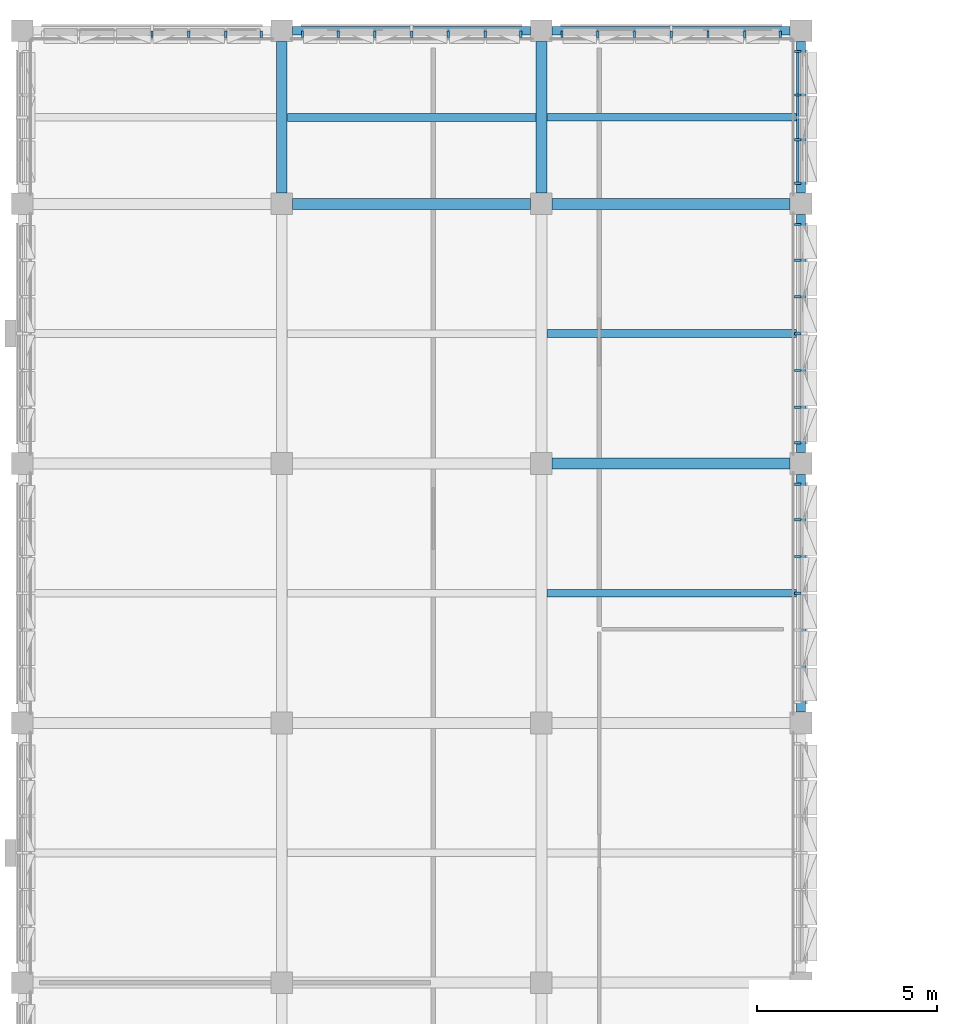
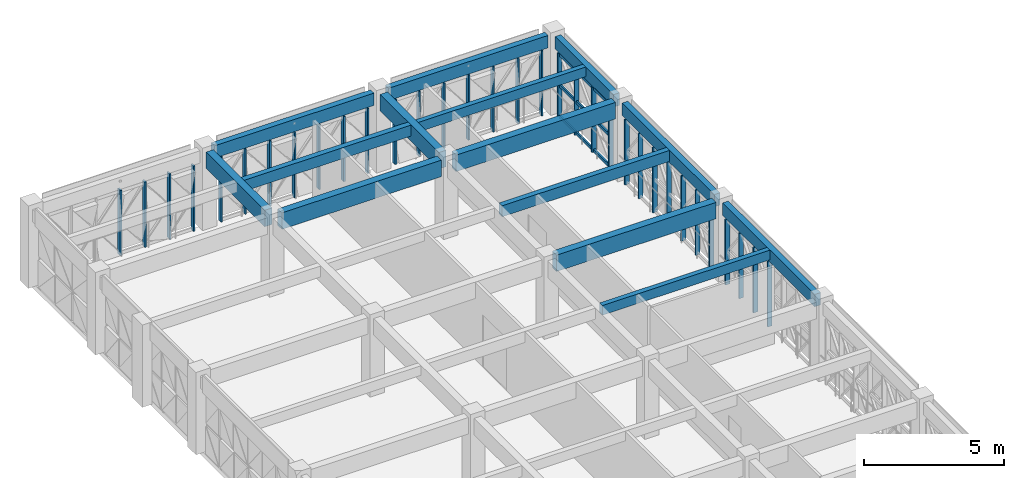
# One storey, part 15 of 74: 42 members, 14 beams, 6 elements without a shape of their own.
"""IFC4 building model written with IfcOpenShell, lengths in metres."""

from ifc_helpers import new_model, si_unit, direction, frame, origin, origin_2d, place, context, subcontext, project, spatial, rectangle, extrude, material, material_profile, profile_set, type_object, element, aggregate, save


model = new_model("IFC4")

# Units and contexts
model_context = context("Model", 3, precision=1e-05, world=origin(), true_north=direction((0.0, 1.0)))
body_context = subcontext(model_context, "Body", "Model", "MODEL_VIEW")
ifc_project = project(units=[si_unit("LENGTHUNIT", "METRE"), si_unit("AREAUNIT", "SQUARE_METRE"), si_unit("VOLUMEUNIT", "CUBIC_METRE"), si_unit("PLANEANGLEUNIT", "RADIAN"), si_unit("MASSUNIT", "GRAM", prefix="KILO")], contexts=[model_context])

# Site, building, storey
site_placement = place(None, origin())
site = spatial("IfcSite", under=ifc_project, at=site_placement, CompositionType="ELEMENT")
building_placement = place(site_placement, origin())
building = spatial("IfcBuilding", under=site, at=building_placement, Name="Alvorim Cloister Faculty of Sciences", CompositionType="ELEMENT")
storey_placement = place(building_placement, frame((0.0, 0.0, 15.75)))
storey = spatial("IfcBuildingStorey", under=building, at=storey_placement, Name="L04", CompositionType="ELEMENT", Elevation=15.75)

# Beams
ifc_material_1 = material(Name="Glulam GL32h", Category="wood")
ifc_material_profile_1 = material_profile(ifc_material_1, rectangle(XDim=0.300048828125, YDim=0.719970703125, at=origin_2d()), Name="GL32-BM-300x720")
ifc_profile_set_1 = profile_set([ifc_material_profile_1], Name="Glulam GL32h")
beam_type_1 = type_object("IfcBeamType", Name="BM-GL-300x720", PredefinedType="BEAM", material=ifc_profile_set_1)
for number, where, z_axis, x_axis, name in (
    (1, (14.699951171875, 99.60009765625, 3.030029296875), (1.0, 0.0, 0.0), (0.0, 1.0, 0.0), "L04 Primary Beam BM-1788"),
    (2, (7.5, 106.800048828125, 3.030029296875), (1.0, 0.0, 0.0), (0.0, 1.0, 0.0), "L04 Primary Beam BM-1790"),
    (3, (14.699951171875, 106.800048828125, 3.030029296875), (1.0, 0.0, 0.0), (0.0, 1.0, 0.0), "L04 Primary Beam BM-1791"),
):
    element("IfcBeam", number, at=place(storey_placement, frame(where, z_axis=z_axis, x_axis=x_axis)), inside=storey, type_object=beam_type_1, Name=name, PredefinedType="BEAM", context=body_context, shape_type="SweptSolid", body=[
        extrude(rectangle(XDim=0.300048828125, YDim=0.719970703125, at=origin_2d()), origin(), (0.0, 0.0, 1.0), 6.60009765625),
    ])
for number, where, z_axis, x_axis, name in (
    (4, (7.199951171875, 107.10009765625, 3.030029296875), (0.0, 1.0, 0.0), (-1.0, 0.0, 0.0), "L04 Primary Girder BM-1817"),
    (5, (14.39990234375, 107.10009765625, 3.030029296875), (0.0, 1.0, 0.0), (-1.0, 0.0, 0.0), "L04 Primary Girder BM-1832"),
):
    element("IfcBeam", number, at=place(storey_placement, frame(where, z_axis=z_axis, x_axis=x_axis)), inside=storey, type_object=beam_type_1, Name=name, PredefinedType="BEAM", context=body_context, shape_type="SweptSolid", body=[
        extrude(rectangle(XDim=0.300048828125, YDim=0.719970703125, at=origin_2d()), origin(), (0.0, 0.0, 1.0), 4.199951171875),
    ])
ifc_material_2 = material(Name="Glulam GL28h", Category="wood")
ifc_material_profile_2 = material_profile(ifc_material_2, rectangle(XDim=0.199951171875, YDim=0.419921875, at=origin_2d()), Name="GL28-JST-200x420")
ifc_profile_set_2 = profile_set([ifc_material_profile_2], Name="Glulam GL28h")
beam_type_2 = type_object("IfcBeamType", Name="BM-JST-GL-200x420", PredefinedType="JOIST", material=ifc_profile_set_2)
for number, where, z_axis, x_axis, name in (
    (6, (14.550048828125, 96.0, 3.179931640625), (1.0, 0.0, 0.0), (0.0, 1.0, 0.0), "L04 Secondary Floor Joist BM-1920"),
    (7, (14.550048828125, 109.199951171875, 3.179931640625), (1.0, 0.0, 0.0), (0.0, 1.0, 0.0), "L04 Secondary Floor Joist BM-1922"),
):
    element("IfcBeam", number, at=place(storey_placement, frame(where, z_axis=z_axis, x_axis=x_axis)), inside=storey, type_object=beam_type_2, Name=name, PredefinedType="JOIST", context=body_context, shape_type="SweptSolid", body=[
        extrude(rectangle(XDim=0.199951171875, YDim=0.419921875, at=origin_2d()), origin(), (0.0, 0.0, 1.0), 6.929931640625),
    ])
ifc_material_profile_3 = material_profile(ifc_material_2, rectangle(XDim=0.219970703125, YDim=0.47998046875, at=origin_2d()), Name="GL28-JST-220x480")
ifc_profile_set_3 = profile_set([ifc_material_profile_3], Name="Glulam GL28h")
beam_type_3 = type_object("IfcBeamType", Name="BM-JST-GL-220x480", PredefinedType="JOIST", material=ifc_profile_set_3)
beam_1_placement = place(storey_placement, frame((7.35009765625, 109.199951171875, 3.14990234375), z_axis=(1.0, 0.0, 0.0), x_axis=(0.0, 1.0, 0.0)))
element("IfcBeam", 8, at=beam_1_placement, inside=storey, type_object=beam_type_3, Name="L04 Secondary Floor Joist BM-1913", PredefinedType="JOIST", context=body_context, shape_type="SweptSolid", body=[
    extrude(rectangle(XDim=0.219970703125, YDim=0.47998046875, at=origin_2d()), origin(), (0.0, 0.0, 1.0), 6.89990234375),
])
beam_2_placement = place(storey_placement, frame((14.550048828125, 103.199951171875, 3.14990234375), z_axis=(1.0, 0.0, 0.0), x_axis=(0.0, 1.0, 0.0)))
element("IfcBeam", 9, at=beam_2_placement, inside=storey, type_object=beam_type_3, Name="L04 Secondary Floor Joist BM-1921", PredefinedType="JOIST", context=body_context, shape_type="SweptSolid", body=[
    extrude(rectangle(XDim=0.219970703125, YDim=0.47998046875, at=origin_2d()), origin(), (0.0, 0.0, 1.0), 6.929931640625),
])
ifc_material_profile_4 = material_profile(ifc_material_2, rectangle(XDim=0.239990234375, YDim=0.5400390625, at=origin_2d()), Name="GL28-SPD-240x540")
ifc_profile_set_4 = profile_set([ifc_material_profile_4], Name="Glulam GL28h")
beam_type_4 = type_object("IfcBeamType", Name="BM-SPD-GL-240x540", PredefinedType="SPANDREL", material=ifc_profile_set_4)
for number, where, z_axis, x_axis, name in (
    (10, (7.5, 111.60009765625, 3.1201171875), (1.0, 0.0, 0.0), (0.0, 1.0, 0.0), "L04 Primary Beam BM-1793"),
    (11, (14.699951171875, 111.60009765625, 3.1201171875), (1.0, 0.0, 0.0), (0.0, 1.0, 0.0), "L04 Primary Beam BM-1794"),
    (12, (21.60009765625, 92.699951171875, 3.1201171875), (0.0, 1.0, 0.0), (-1.0, 0.0, 0.0), "L04 Primary Girder BM-1845"),
    (13, (21.60009765625, 99.89990234375, 3.1201171875), (0.0, 1.0, 0.0), (-1.0, 0.0, 0.0), "L04 Primary Girder BM-1846"),
):
    element("IfcBeam", number, at=place(storey_placement, frame(where, z_axis=z_axis, x_axis=x_axis)), inside=storey, type_object=beam_type_4, Name=name, PredefinedType="SPANDREL", context=body_context, shape_type="SweptSolid", body=[
        extrude(rectangle(XDim=0.239990234375, YDim=0.5400390625, at=origin_2d()), origin(), (0.0, 0.0, 1.0), 6.60009765625),
    ])
beam_3_placement = place(storey_placement, frame((21.60009765625, 107.10009765625, 3.1201171875), z_axis=(0.0, 1.0, 0.0), x_axis=(-1.0, 0.0, 0.0)))
element("IfcBeam", 14, at=beam_3_placement, inside=storey, type_object=beam_type_4, Name="L04 Primary Girder BM-1847", PredefinedType="SPANDREL", context=body_context, shape_type="SweptSolid", body=[
    extrude(rectangle(XDim=0.239990234375, YDim=0.5400390625, at=origin_2d()), origin(), (0.0, 0.0, 1.0), 4.199951171875),
])

# Curtain wall, members
ifc_material_3 = material(Name="Aluminium and Low-E Glass Curtain Wall", Category="aluminium")
curtain_wall_type_1 = type_object("IfcCurtainWallType", Name="CW-TRI-6120x2850", PredefinedType="USERDEFINED", material=ifc_material_3)
curtain_wall_1_placement = place(storey_placement, origin())
curtain_wall_1 = element("IfcCurtainWall", 15, at=curtain_wall_1_placement, inside=storey, type_object=curtain_wall_type_1, Name="L04 Diagonal Cassette Curtain Wall CW-0178", ObjectType="UNITISED CURTAIN WALL", PredefinedType="USERDEFINED")
ifc_material_4 = material(Name="Aluminium Alloy 6063-T6", Category="aluminium")
ifc_material_profile_5 = material_profile(ifc_material_4, rectangle(XDim=0.06494140625, YDim=0.179931640625, at=origin_2d()), Name="ALU-MUL-65x180")
ifc_profile_set_5 = profile_set([ifc_material_profile_5], Name="Aluminium Alloy 6063-T6")
member_type_1 = type_object("IfcMemberType", Name="CW-MUL-65x180", PredefinedType="MULLION", material=ifc_profile_set_5)
member_1_placement = place(storey_placement, frame((3.60009765625, 111.510009765625, 0.0), z_axis=(0.0, 0.0, 1.0), x_axis=(1.0, 0.0, 0.0)))
member_1 = element("IfcMember", 16, at=member_1_placement, type_object=member_type_1, Name="CW-0178 Mullion 4", PredefinedType="MULLION", context=body_context, shape_type="SweptSolid", body=[
    extrude(rectangle(XDim=0.06494140625, YDim=0.179931640625, at=origin_2d()), origin(), (0.0, 0.0, 1.0), 2.85009765625),
])
member_2_placement = place(storey_placement, frame((4.6201171875, 111.510009765625, 0.0), z_axis=(0.0, 0.0, 1.0), x_axis=(1.0, 0.0, 0.0)))
member_2 = element("IfcMember", 17, at=member_2_placement, type_object=member_type_1, Name="CW-0178 Mullion 5", PredefinedType="MULLION", context=body_context, shape_type="SweptSolid", body=[
    extrude(rectangle(XDim=0.06494140625, YDim=0.179931640625, at=origin_2d()), origin(), (0.0, 0.0, 1.0), 2.85009765625),
])
member_3_placement = place(storey_placement, frame((5.639892578125, 111.510009765625, 0.0), z_axis=(0.0, 0.0, 1.0), x_axis=(1.0, 0.0, 0.0)))
member_3 = element("IfcMember", 18, at=member_3_placement, type_object=member_type_1, Name="CW-0178 Mullion 6", PredefinedType="MULLION", context=body_context, shape_type="SweptSolid", body=[
    extrude(rectangle(XDim=0.06494140625, YDim=0.179931640625, at=origin_2d()), origin(), (0.0, 0.0, 1.0), 2.85009765625),
])
member_4_placement = place(storey_placement, frame((6.62744140625, 111.510009765625, 0.0), z_axis=(0.0, 0.0, 1.0), x_axis=(1.0, 0.0, 0.0)))
member_4 = element("IfcMember", 19, at=member_4_placement, type_object=member_type_1, Name="CW-0178 Mullion 7", PredefinedType="MULLION", context=body_context, shape_type="SweptSolid", body=[
    extrude(rectangle(XDim=0.06494140625, YDim=0.179931640625, at=origin_2d()), origin(), (0.0, 0.0, 1.0), 2.85009765625),
])
aggregate(curtain_wall_1, [member_1, member_2, member_3, member_4])

curtain_wall_2_placement = place(storey_placement, origin())
curtain_wall_2 = element("IfcCurtainWall", 20, at=curtain_wall_2_placement, inside=storey, type_object=curtain_wall_type_1, Name="L04 Diagonal Cassette Curtain Wall CW-0179", ObjectType="UNITISED CURTAIN WALL", PredefinedType="USERDEFINED")
member_5_placement = place(storey_placement, frame((7.7724609375, 111.510009765625, 0.0), z_axis=(0.0, 0.0, 1.0), x_axis=(1.0, 0.0, 0.0)))
member_5 = element("IfcMember", 21, at=member_5_placement, type_object=member_type_1, Name="CW-0179 Mullion 1", PredefinedType="MULLION", context=body_context, shape_type="SweptSolid", body=[
    extrude(rectangle(XDim=0.06494140625, YDim=0.179931640625, at=origin_2d()), origin(), (0.0, 0.0, 1.0), 2.85009765625),
])
member_6_placement = place(storey_placement, frame((8.760009765625, 111.510009765625, 0.0), z_axis=(0.0, 0.0, 1.0), x_axis=(1.0, 0.0, 0.0)))
member_6 = element("IfcMember", 22, at=member_6_placement, type_object=member_type_1, Name="CW-0179 Mullion 2", PredefinedType="MULLION", context=body_context, shape_type="SweptSolid", body=[
    extrude(rectangle(XDim=0.06494140625, YDim=0.179931640625, at=origin_2d()), origin(), (0.0, 0.0, 1.0), 2.85009765625),
])
member_7_placement = place(storey_placement, frame((9.780029296875, 111.510009765625, 0.0), z_axis=(0.0, 0.0, 1.0), x_axis=(1.0, 0.0, 0.0)))
member_7 = element("IfcMember", 23, at=member_7_placement, type_object=member_type_1, Name="CW-0179 Mullion 3", PredefinedType="MULLION", context=body_context, shape_type="SweptSolid", body=[
    extrude(rectangle(XDim=0.06494140625, YDim=0.179931640625, at=origin_2d()), origin(), (0.0, 0.0, 1.0), 2.85009765625),
])
member_8_placement = place(storey_placement, frame((10.800048828125, 111.510009765625, 0.0), z_axis=(0.0, 0.0, 1.0), x_axis=(1.0, 0.0, 0.0)))
member_8 = element("IfcMember", 24, at=member_8_placement, type_object=member_type_1, Name="CW-0179 Mullion 4", PredefinedType="MULLION", context=body_context, shape_type="SweptSolid", body=[
    extrude(rectangle(XDim=0.06494140625, YDim=0.179931640625, at=origin_2d()), origin(), (0.0, 0.0, 1.0), 2.85009765625),
])
member_9_placement = place(storey_placement, frame((11.820068359375, 111.510009765625, 0.0), z_axis=(0.0, 0.0, 1.0), x_axis=(1.0, 0.0, 0.0)))
member_9 = element("IfcMember", 25, at=member_9_placement, type_object=member_type_1, Name="CW-0179 Mullion 5", PredefinedType="MULLION", context=body_context, shape_type="SweptSolid", body=[
    extrude(rectangle(XDim=0.06494140625, YDim=0.179931640625, at=origin_2d()), origin(), (0.0, 0.0, 1.0), 2.85009765625),
])
member_10_placement = place(storey_placement, frame((12.840087890625, 111.510009765625, 0.0), z_axis=(0.0, 0.0, 1.0), x_axis=(1.0, 0.0, 0.0)))
member_10 = element("IfcMember", 26, at=member_10_placement, type_object=member_type_1, Name="CW-0179 Mullion 6", PredefinedType="MULLION", context=body_context, shape_type="SweptSolid", body=[
    extrude(rectangle(XDim=0.06494140625, YDim=0.179931640625, at=origin_2d()), origin(), (0.0, 0.0, 1.0), 2.85009765625),
])
member_11_placement = place(storey_placement, frame((13.827392578125, 111.510009765625, 0.0), z_axis=(0.0, 0.0, 1.0), x_axis=(1.0, 0.0, 0.0)))
member_11 = element("IfcMember", 27, at=member_11_placement, type_object=member_type_1, Name="CW-0179 Mullion 7", PredefinedType="MULLION", context=body_context, shape_type="SweptSolid", body=[
    extrude(rectangle(XDim=0.06494140625, YDim=0.179931640625, at=origin_2d()), origin(), (0.0, 0.0, 1.0), 2.85009765625),
])
aggregate(curtain_wall_2, [member_5, member_6, member_7, member_8, member_9, member_10, member_11])

curtain_wall_3_placement = place(storey_placement, origin())
curtain_wall_3 = element("IfcCurtainWall", 28, at=curtain_wall_3_placement, inside=storey, type_object=curtain_wall_type_1, Name="L04 Diagonal Cassette Curtain Wall CW-0180", ObjectType="UNITISED CURTAIN WALL", PredefinedType="USERDEFINED")
member_12_placement = place(storey_placement, frame((14.972412109375, 111.510009765625, 0.0), z_axis=(0.0, 0.0, 1.0), x_axis=(1.0, 0.0, 0.0)))
member_12 = element("IfcMember", 29, at=member_12_placement, type_object=member_type_1, Name="CW-0180 Mullion 1", PredefinedType="MULLION", context=body_context, shape_type="SweptSolid", body=[
    extrude(rectangle(XDim=0.06494140625, YDim=0.179931640625, at=origin_2d()), origin(), (0.0, 0.0, 1.0), 2.85009765625),
])
member_13_placement = place(storey_placement, frame((15.9599609375, 111.510009765625, 0.0), z_axis=(0.0, 0.0, 1.0), x_axis=(1.0, 0.0, 0.0)))
member_13 = element("IfcMember", 30, at=member_13_placement, type_object=member_type_1, Name="CW-0180 Mullion 2", PredefinedType="MULLION", context=body_context, shape_type="SweptSolid", body=[
    extrude(rectangle(XDim=0.06494140625, YDim=0.179931640625, at=origin_2d()), origin(), (0.0, 0.0, 1.0), 2.85009765625),
])
member_14_placement = place(storey_placement, frame((16.97998046875, 111.510009765625, 0.0), z_axis=(0.0, 0.0, 1.0), x_axis=(1.0, 0.0, 0.0)))
member_14 = element("IfcMember", 31, at=member_14_placement, type_object=member_type_1, Name="CW-0180 Mullion 3", PredefinedType="MULLION", context=body_context, shape_type="SweptSolid", body=[
    extrude(rectangle(XDim=0.06494140625, YDim=0.179931640625, at=origin_2d()), origin(), (0.0, 0.0, 1.0), 2.85009765625),
])
member_15_placement = place(storey_placement, frame((18.0, 111.510009765625, 0.0), z_axis=(0.0, 0.0, 1.0), x_axis=(1.0, 0.0, 0.0)))
member_15 = element("IfcMember", 32, at=member_15_placement, type_object=member_type_1, Name="CW-0180 Mullion 4", PredefinedType="MULLION", context=body_context, shape_type="SweptSolid", body=[
    extrude(rectangle(XDim=0.06494140625, YDim=0.179931640625, at=origin_2d()), origin(), (0.0, 0.0, 1.0), 2.85009765625),
])
member_16_placement = place(storey_placement, frame((19.02001953125, 111.510009765625, 0.0), z_axis=(0.0, 0.0, 1.0), x_axis=(1.0, 0.0, 0.0)))
member_16 = element("IfcMember", 33, at=member_16_placement, type_object=member_type_1, Name="CW-0180 Mullion 5", PredefinedType="MULLION", context=body_context, shape_type="SweptSolid", body=[
    extrude(rectangle(XDim=0.06494140625, YDim=0.179931640625, at=origin_2d()), origin(), (0.0, 0.0, 1.0), 2.85009765625),
])
member_17_placement = place(storey_placement, frame((20.0400390625, 111.510009765625, 0.0), z_axis=(0.0, 0.0, 1.0), x_axis=(1.0, 0.0, 0.0)))
member_17 = element("IfcMember", 34, at=member_17_placement, type_object=member_type_1, Name="CW-0180 Mullion 6", PredefinedType="MULLION", context=body_context, shape_type="SweptSolid", body=[
    extrude(rectangle(XDim=0.06494140625, YDim=0.179931640625, at=origin_2d()), origin(), (0.0, 0.0, 1.0), 2.85009765625),
])
member_18_placement = place(storey_placement, frame((21.027587890625, 111.510009765625, 0.0), z_axis=(0.0, 0.0, 1.0), x_axis=(1.0, 0.0, 0.0)))
member_18 = element("IfcMember", 35, at=member_18_placement, type_object=member_type_1, Name="CW-0180 Mullion 7", PredefinedType="MULLION", context=body_context, shape_type="SweptSolid", body=[
    extrude(rectangle(XDim=0.06494140625, YDim=0.179931640625, at=origin_2d()), origin(), (0.0, 0.0, 1.0), 2.85009765625),
])
aggregate(curtain_wall_3, [member_12, member_13, member_14, member_15, member_16, member_17, member_18])

curtain_wall_type_2 = type_object("IfcCurtainWallType", Name="CW-TRI-3720x2850", PredefinedType="USERDEFINED", material=ifc_material_3)
curtain_wall_4_placement = place(storey_placement, origin())
curtain_wall_4 = element("IfcCurtainWall", 36, at=curtain_wall_4_placement, inside=storey, type_object=curtain_wall_type_2, Name="L04 Diagonal Cassette Curtain Wall CW-0181", ObjectType="UNITISED CURTAIN WALL", PredefinedType="USERDEFINED")
member_19_placement = place(storey_placement, frame((21.510009765625, 107.37255859375, 0.0), z_axis=(0.0, 0.0, 1.0), x_axis=(0.0, 1.0, 0.0)))
member_19 = element("IfcMember", 37, at=member_19_placement, type_object=member_type_1, Name="CW-0181 Mullion 1", PredefinedType="MULLION", context=body_context, shape_type="SweptSolid", body=[
    extrude(rectangle(XDim=0.06494140625, YDim=0.179931640625, at=origin_2d()), origin(), (0.0, 0.0, 1.0), 2.85009765625),
])
member_20_placement = place(storey_placement, frame((21.510009765625, 108.580078125, 0.0), z_axis=(0.0, 0.0, 1.0), x_axis=(0.0, 1.0, 0.0)))
member_20 = element("IfcMember", 38, at=member_20_placement, type_object=member_type_1, Name="CW-0181 Mullion 2", PredefinedType="MULLION", context=body_context, shape_type="SweptSolid", body=[
    extrude(rectangle(XDim=0.06494140625, YDim=0.179931640625, at=origin_2d()), origin(), (0.0, 0.0, 1.0), 2.85009765625),
])
member_21_placement = place(storey_placement, frame((21.510009765625, 109.820068359375, 0.0), z_axis=(0.0, 0.0, 1.0), x_axis=(0.0, 1.0, 0.0)))
member_21 = element("IfcMember", 39, at=member_21_placement, type_object=member_type_1, Name="CW-0181 Mullion 3", PredefinedType="MULLION", context=body_context, shape_type="SweptSolid", body=[
    extrude(rectangle(XDim=0.06494140625, YDim=0.179931640625, at=origin_2d()), origin(), (0.0, 0.0, 1.0), 2.85009765625),
])
member_22_placement = place(storey_placement, frame((21.510009765625, 111.027587890625, 0.0), z_axis=(0.0, 0.0, 1.0), x_axis=(0.0, 1.0, 0.0)))
member_22 = element("IfcMember", 40, at=member_22_placement, type_object=member_type_1, Name="CW-0181 Mullion 4", PredefinedType="MULLION", context=body_context, shape_type="SweptSolid", body=[
    extrude(rectangle(XDim=0.06494140625, YDim=0.179931640625, at=origin_2d()), origin(), (0.0, 0.0, 1.0), 2.85009765625),
])

curtain_wall_5_placement = place(storey_placement, origin())
curtain_wall_5 = element("IfcCurtainWall", 41, at=curtain_wall_5_placement, inside=storey, type_object=curtain_wall_type_1, Name="L04 Diagonal Cassette Curtain Wall CW-0182", ObjectType="UNITISED CURTAIN WALL", PredefinedType="USERDEFINED")
member_23_placement = place(storey_placement, frame((21.510009765625, 100.172607421875, 0.0), z_axis=(0.0, 0.0, 1.0), x_axis=(0.0, 1.0, 0.0)))
member_23 = element("IfcMember", 42, at=member_23_placement, type_object=member_type_1, Name="CW-0182 Mullion 1", PredefinedType="MULLION", context=body_context, shape_type="SweptSolid", body=[
    extrude(rectangle(XDim=0.06494140625, YDim=0.179931640625, at=origin_2d()), origin(), (0.0, 0.0, 1.0), 2.85009765625),
])
member_24_placement = place(storey_placement, frame((21.510009765625, 101.159912109375, 0.0), z_axis=(0.0, 0.0, 1.0), x_axis=(0.0, 1.0, 0.0)))
member_24 = element("IfcMember", 43, at=member_24_placement, type_object=member_type_1, Name="CW-0182 Mullion 2", PredefinedType="MULLION", context=body_context, shape_type="SweptSolid", body=[
    extrude(rectangle(XDim=0.06494140625, YDim=0.179931640625, at=origin_2d()), origin(), (0.0, 0.0, 1.0), 2.85009765625),
])
member_25_placement = place(storey_placement, frame((21.510009765625, 102.179931640625, 0.0), z_axis=(0.0, 0.0, 1.0), x_axis=(0.0, 1.0, 0.0)))
member_25 = element("IfcMember", 44, at=member_25_placement, type_object=member_type_1, Name="CW-0182 Mullion 3", PredefinedType="MULLION", context=body_context, shape_type="SweptSolid", body=[
    extrude(rectangle(XDim=0.06494140625, YDim=0.179931640625, at=origin_2d()), origin(), (0.0, 0.0, 1.0), 2.85009765625),
])
member_26_placement = place(storey_placement, frame((21.510009765625, 103.199951171875, 0.0), z_axis=(0.0, 0.0, 1.0), x_axis=(0.0, 1.0, 0.0)))
member_26 = element("IfcMember", 45, at=member_26_placement, type_object=member_type_1, Name="CW-0182 Mullion 4", PredefinedType="MULLION", context=body_context, shape_type="SweptSolid", body=[
    extrude(rectangle(XDim=0.06494140625, YDim=0.179931640625, at=origin_2d()), origin(), (0.0, 0.0, 1.0), 2.85009765625),
])
member_27_placement = place(storey_placement, frame((21.510009765625, 104.219970703125, 0.0), z_axis=(0.0, 0.0, 1.0), x_axis=(0.0, 1.0, 0.0)))
member_27 = element("IfcMember", 46, at=member_27_placement, type_object=member_type_1, Name="CW-0182 Mullion 5", PredefinedType="MULLION", context=body_context, shape_type="SweptSolid", body=[
    extrude(rectangle(XDim=0.06494140625, YDim=0.179931640625, at=origin_2d()), origin(), (0.0, 0.0, 1.0), 2.85009765625),
])
member_28_placement = place(storey_placement, frame((21.510009765625, 105.239990234375, 0.0), z_axis=(0.0, 0.0, 1.0), x_axis=(0.0, 1.0, 0.0)))
member_28 = element("IfcMember", 47, at=member_28_placement, type_object=member_type_1, Name="CW-0182 Mullion 6", PredefinedType="MULLION", context=body_context, shape_type="SweptSolid", body=[
    extrude(rectangle(XDim=0.06494140625, YDim=0.179931640625, at=origin_2d()), origin(), (0.0, 0.0, 1.0), 2.85009765625),
])
member_29_placement = place(storey_placement, frame((21.510009765625, 106.2275390625, 0.0), z_axis=(0.0, 0.0, 1.0), x_axis=(0.0, 1.0, 0.0)))
member_29 = element("IfcMember", 48, at=member_29_placement, type_object=member_type_1, Name="CW-0182 Mullion 7", PredefinedType="MULLION", context=body_context, shape_type="SweptSolid", body=[
    extrude(rectangle(XDim=0.06494140625, YDim=0.179931640625, at=origin_2d()), origin(), (0.0, 0.0, 1.0), 2.85009765625),
])
aggregate(curtain_wall_5, [member_23, member_24, member_25, member_26, member_27, member_28, member_29])

curtain_wall_6_placement = place(storey_placement, origin())
curtain_wall_6 = element("IfcCurtainWall", 49, at=curtain_wall_6_placement, inside=storey, type_object=curtain_wall_type_1, Name="L04 Diagonal Cassette Curtain Wall CW-0183", ObjectType="UNITISED CURTAIN WALL", PredefinedType="USERDEFINED")
member_30_placement = place(storey_placement, frame((21.510009765625, 96.0, 0.0), z_axis=(0.0, 0.0, 1.0), x_axis=(0.0, 1.0, 0.0)))
member_30 = element("IfcMember", 50, at=member_30_placement, type_object=member_type_1, Name="CW-0183 Mullion 4", PredefinedType="MULLION", context=body_context, shape_type="SweptSolid", body=[
    extrude(rectangle(XDim=0.06494140625, YDim=0.179931640625, at=origin_2d()), origin(), (0.0, 0.0, 1.0), 2.85009765625),
])
member_31_placement = place(storey_placement, frame((21.510009765625, 97.02001953125, 0.0), z_axis=(0.0, 0.0, 1.0), x_axis=(0.0, 1.0, 0.0)))
member_31 = element("IfcMember", 51, at=member_31_placement, type_object=member_type_1, Name="CW-0183 Mullion 5", PredefinedType="MULLION", context=body_context, shape_type="SweptSolid", body=[
    extrude(rectangle(XDim=0.06494140625, YDim=0.179931640625, at=origin_2d()), origin(), (0.0, 0.0, 1.0), 2.85009765625),
])
member_32_placement = place(storey_placement, frame((21.510009765625, 98.0400390625, 0.0), z_axis=(0.0, 0.0, 1.0), x_axis=(0.0, 1.0, 0.0)))
member_32 = element("IfcMember", 52, at=member_32_placement, type_object=member_type_1, Name="CW-0183 Mullion 6", PredefinedType="MULLION", context=body_context, shape_type="SweptSolid", body=[
    extrude(rectangle(XDim=0.06494140625, YDim=0.179931640625, at=origin_2d()), origin(), (0.0, 0.0, 1.0), 2.85009765625),
])
member_33_placement = place(storey_placement, frame((21.510009765625, 99.027587890625, 0.0), z_axis=(0.0, 0.0, 1.0), x_axis=(0.0, 1.0, 0.0)))
member_33 = element("IfcMember", 53, at=member_33_placement, type_object=member_type_1, Name="CW-0183 Mullion 7", PredefinedType="MULLION", context=body_context, shape_type="SweptSolid", body=[
    extrude(rectangle(XDim=0.06494140625, YDim=0.179931640625, at=origin_2d()), origin(), (0.0, 0.0, 1.0), 2.85009765625),
])
aggregate(curtain_wall_6, [member_30, member_31, member_32, member_33])

# Member
ifc_material_profile_6 = material_profile(ifc_material_4, rectangle(XDim=0.06494140625, YDim=0.139892578125, at=origin_2d()), Name="ALU-TRN-65x140")
ifc_profile_set_6 = profile_set([ifc_material_profile_6], Name="Aluminium Alloy 6063-T6")
member_type_2 = type_object("IfcMemberType", Name="CW-TRN-65x140", PredefinedType="USERDEFINED", material=ifc_profile_set_6)
member_34_placement = place(storey_placement, frame((21.510009765625, 107.405029296875, 0.070068359375), z_axis=(0.0, 1.0, 0.0), x_axis=(-1.0, 0.0, 0.0)))
member_34 = element("IfcMember", 54, at=member_34_placement, type_object=member_type_2, Name="CW-0181 Transom 1.1", ObjectType="TRANSOM", PredefinedType="USERDEFINED", context=body_context, shape_type="SweptSolid", body=[
    extrude(rectangle(XDim=0.06494140625, YDim=0.139892578125, at=origin_2d()), origin(), (0.0, 0.0, 1.0), 1.142578125),
])

member_35_placement = place(storey_placement, frame((21.510009765625, 107.405029296875, 1.425048828125), z_axis=(0.0, 1.0, 0.0), x_axis=(-1.0, 0.0, 0.0)))
member_35 = element("IfcMember", 55, at=member_35_placement, type_object=member_type_2, Name="CW-0181 Transom 1.2", ObjectType="TRANSOM", PredefinedType="USERDEFINED", context=body_context, shape_type="SweptSolid", body=[
    extrude(rectangle(XDim=0.06494140625, YDim=0.139892578125, at=origin_2d()), origin(), (0.0, 0.0, 1.0), 1.142578125),
])

member_36_placement = place(storey_placement, frame((21.510009765625, 107.405029296875, 2.780029296875), z_axis=(0.0, 1.0, 0.0), x_axis=(-1.0, 0.0, 0.0)))
member_36 = element("IfcMember", 56, at=member_36_placement, type_object=member_type_2, Name="CW-0181 Transom 1.3", ObjectType="TRANSOM", PredefinedType="USERDEFINED", context=body_context, shape_type="SweptSolid", body=[
    extrude(rectangle(XDim=0.06494140625, YDim=0.139892578125, at=origin_2d()), origin(), (0.0, 0.0, 1.0), 1.142578125),
])

member_37_placement = place(storey_placement, frame((21.510009765625, 108.612548828125, 0.070068359375), z_axis=(0.0, 1.0, 0.0), x_axis=(-1.0, 0.0, 0.0)))
member_37 = element("IfcMember", 57, at=member_37_placement, type_object=member_type_2, Name="CW-0181 Transom 2.1", ObjectType="TRANSOM", PredefinedType="USERDEFINED", context=body_context, shape_type="SweptSolid", body=[
    extrude(rectangle(XDim=0.06494140625, YDim=0.139892578125, at=origin_2d()), origin(), (0.0, 0.0, 1.0), 1.175048828125),
])

member_38_placement = place(storey_placement, frame((21.510009765625, 108.612548828125, 1.425048828125), z_axis=(0.0, 1.0, 0.0), x_axis=(-1.0, 0.0, 0.0)))
member_38 = element("IfcMember", 58, at=member_38_placement, type_object=member_type_2, Name="CW-0181 Transom 2.2", ObjectType="TRANSOM", PredefinedType="USERDEFINED", context=body_context, shape_type="SweptSolid", body=[
    extrude(rectangle(XDim=0.06494140625, YDim=0.139892578125, at=origin_2d()), origin(), (0.0, 0.0, 1.0), 1.175048828125),
])

member_39_placement = place(storey_placement, frame((21.510009765625, 108.612548828125, 2.780029296875), z_axis=(0.0, 1.0, 0.0), x_axis=(-1.0, 0.0, 0.0)))
member_39 = element("IfcMember", 59, at=member_39_placement, type_object=member_type_2, Name="CW-0181 Transom 2.3", ObjectType="TRANSOM", PredefinedType="USERDEFINED", context=body_context, shape_type="SweptSolid", body=[
    extrude(rectangle(XDim=0.06494140625, YDim=0.139892578125, at=origin_2d()), origin(), (0.0, 0.0, 1.0), 1.175048828125),
])

member_40_placement = place(storey_placement, frame((21.510009765625, 109.8525390625, 0.070068359375), z_axis=(0.0, 1.0, 0.0), x_axis=(-1.0, 0.0, 0.0)))
member_40 = element("IfcMember", 60, at=member_40_placement, type_object=member_type_2, Name="CW-0181 Transom 3.1", ObjectType="TRANSOM", PredefinedType="USERDEFINED", context=body_context, shape_type="SweptSolid", body=[
    extrude(rectangle(XDim=0.06494140625, YDim=0.139892578125, at=origin_2d()), origin(), (0.0, 0.0, 1.0), 1.142578125),
])

member_41_placement = place(storey_placement, frame((21.510009765625, 109.8525390625, 1.425048828125), z_axis=(0.0, 1.0, 0.0), x_axis=(-1.0, 0.0, 0.0)))
member_41 = element("IfcMember", 61, at=member_41_placement, type_object=member_type_2, Name="CW-0181 Transom 3.2", ObjectType="TRANSOM", PredefinedType="USERDEFINED", context=body_context, shape_type="SweptSolid", body=[
    extrude(rectangle(XDim=0.06494140625, YDim=0.139892578125, at=origin_2d()), origin(), (0.0, 0.0, 1.0), 1.142578125),
])

member_42_placement = place(storey_placement, frame((21.510009765625, 109.8525390625, 2.780029296875), z_axis=(0.0, 1.0, 0.0), x_axis=(-1.0, 0.0, 0.0)))
member_42 = element("IfcMember", 62, at=member_42_placement, type_object=member_type_2, Name="CW-0181 Transom 3.3", ObjectType="TRANSOM", PredefinedType="USERDEFINED", context=body_context, shape_type="SweptSolid", body=[
    extrude(rectangle(XDim=0.06494140625, YDim=0.139892578125, at=origin_2d()), origin(), (0.0, 0.0, 1.0), 1.142578125),
])

aggregate(curtain_wall_4, [member_19, member_20, member_21, member_22, member_34, member_35, member_36, member_37, member_38, member_39, member_40, member_41, member_42])

save(model, "model.ifc")
